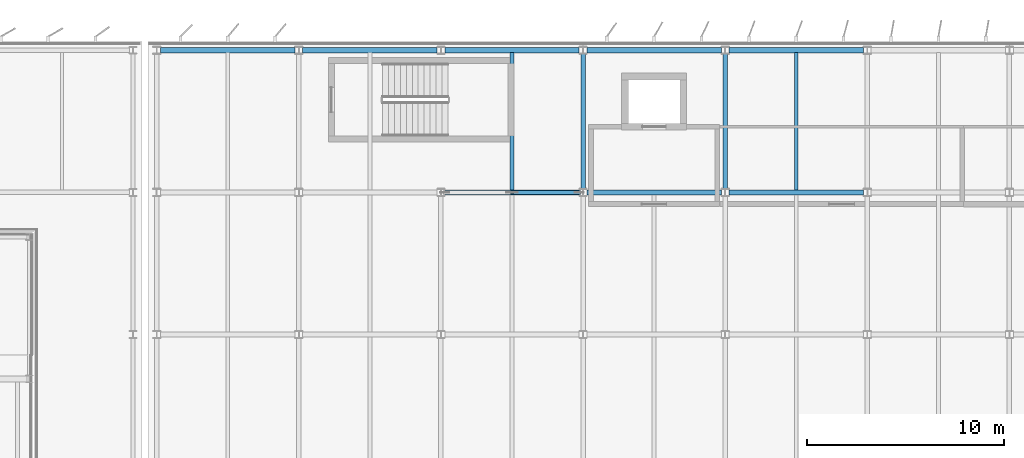
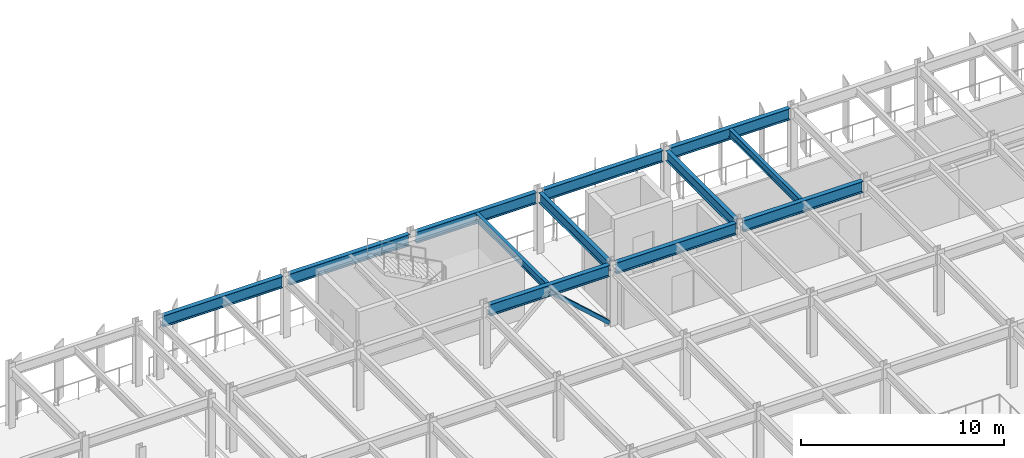
# One storey, part 26 of 93: 12 beams, 1 member.
"""IFC4 building model written with IfcOpenShell, lengths in metres."""

from ifc_helpers import new_model, si_unit, direction, frame, origin, origin_2d, place, context, subcontext, project, spatial, hollow_rectangle, i_section, extrude, material, material_profile, profile_set, type_object, element, save


model = new_model("IFC4")

# Units and contexts
model_context = context("Model", 3, precision=1e-05, world=origin(), true_north=direction((0.0, 1.0)))
body_context = subcontext(model_context, "Body", "Model", "MODEL_VIEW")
ifc_project = project(units=[si_unit("LENGTHUNIT", "METRE"), si_unit("AREAUNIT", "SQUARE_METRE"), si_unit("VOLUMEUNIT", "CUBIC_METRE"), si_unit("PLANEANGLEUNIT", "RADIAN"), si_unit("MASSUNIT", "GRAM", prefix="KILO")], contexts=[model_context])

# Site, building, storey
site_placement = place(None, origin())
site = spatial("IfcSite", under=ifc_project, at=site_placement, CompositionType="ELEMENT")
building_placement = place(site_placement, origin())
building = spatial("IfcBuilding", under=site, at=building_placement, Name="Vaelcorin Mobility Hub", CompositionType="ELEMENT")
storey_placement = place(building_placement, frame((0.0, 0.0, 5.39990234375)))
storey = spatial("IfcBuildingStorey", under=building, at=storey_placement, Name="L01", CompositionType="ELEMENT", Elevation=5.39990234375)

# Beams
ifc_material_1 = material(Name="Steel ASTM A992 Grade 50", Category="steel")
ifc_material_profile_1 = material_profile(ifc_material_1, i_section(OverallWidth=0.19189453125, OverallDepth=0.4619140625, WebThickness=0.010498046875, FlangeThickness=0.017578125, FilletRadius=0.012939453125, at=origin_2d()), Name="W18X60")
ifc_profile_set_1 = profile_set([ifc_material_profile_1], Name="Steel ASTM A992 Grade 50")
beam_type_1 = type_object("IfcBeamType", Name="BM-W18X60", PredefinedType="JOIST", material=ifc_profile_set_1)
for number, where, z_axis, x_axis, name in (
    (1, (54.0, 112.925048828125, 3.439208984375), (0.0, 1.0, 0.0), (-1.0, 0.0, 0.0), "L01 Beam V4-L01-J-03-06-1"),
    (2, (68.39990234375, 112.925048828125, 3.439208984375), (0.0, 1.0, 0.0), (-1.0, 0.0, 0.0), "L01 Beam V4-L01-J-05-06-1"),
):
    element("IfcBeam", number, at=place(storey_placement, frame(where, z_axis=z_axis, x_axis=x_axis)), inside=storey, type_object=beam_type_1, Name=name, PredefinedType="JOIST", context=body_context, shape_type="SweptSolid", body=[
        extrude(i_section(OverallWidth=0.19189453125, OverallDepth=0.4619140625, WebThickness=0.010498046875, FlangeThickness=0.017578125, FilletRadius=0.012939453125, at=origin_2d()), origin(), (0.0, 0.0, 1.0), 6.949951171875),
    ])
ifc_material_profile_2 = material_profile(ifc_material_1, i_section(OverallWidth=0.22900390625, OverallDepth=0.612060546875, WebThickness=0.011962890625, FlangeThickness=0.01953125, FilletRadius=0.014892578125, at=origin_2d()), Name="W24X84")
ifc_profile_set_2 = profile_set([ifc_material_profile_2], Name="Steel ASTM A992 Grade 50")
beam_type_2 = type_object("IfcBeamType", Name="BM-W24X84", PredefinedType="BEAM", material=ifc_profile_set_2)
for number, where, z_axis, x_axis, name in (
    (3, (57.60009765625, 112.9951171875, 3.364013671875), (0.0, 1.0, 0.0), (-1.0, 0.0, 0.0), "L01 Beam V4-L01-GY-04-06"),
    (4, (64.800048828125, 112.9951171875, 3.364013671875), (0.0, 1.0, 0.0), (-1.0, 0.0, 0.0), "L01 Beam V4-L01-GY-05-06"),
):
    element("IfcBeam", number, at=place(storey_placement, frame(where, z_axis=z_axis, x_axis=x_axis)), inside=storey, type_object=beam_type_2, Name=name, PredefinedType="BEAM", context=body_context, shape_type="SweptSolid", body=[
        extrude(i_section(OverallWidth=0.22900390625, OverallDepth=0.612060546875, WebThickness=0.011962890625, FlangeThickness=0.01953125, FilletRadius=0.014892578125, at=origin_2d()), origin(), (0.0, 0.0, 1.0), 6.81689453125),
    ])
ifc_material_profile_3 = material_profile(ifc_material_1, i_section(OverallWidth=0.25390625, OverallDepth=0.68310546875, WebThickness=0.012451171875, FlangeThickness=0.018798828125, FilletRadius=0.01611328125, at=origin_2d()), Name="W27X94")
ifc_profile_set_3 = profile_set([ifc_material_profile_3], Name="Steel ASTM A992 Grade 50")
beam_type_3 = type_object("IfcBeamType", Name="BM-W27X94", PredefinedType="BEAM", material=ifc_profile_set_3)
beam_1_placement = place(storey_placement, frame((50.597900390625, 112.800048828125, 3.328125), z_axis=(1.0, 0.0, 0.0), x_axis=(0.0, 1.0, 0.0)))
element("IfcBeam", 5, at=beam_1_placement, inside=storey, type_object=beam_type_3, Name="L01 Beam V4-L01-GX-06-03", PredefinedType="BEAM", context=body_context, shape_type="SweptSolid", body=[
    extrude(i_section(OverallWidth=0.25390625, OverallDepth=0.68310546875, WebThickness=0.012451171875, FlangeThickness=0.018798828125, FilletRadius=0.01611328125, at=origin_2d()), origin(), (0.0, 0.0, 1.0), 6.80419921875),
])
for number, where, z_axis, x_axis, name in (
    (6, (57.798095703125, 112.800048828125, 3.328125), (1.0, 0.0, 0.0), (0.0, 1.0, 0.0), "L01 Beam V4-L01-GX-06-04"),
    (7, (64.998046875, 112.800048828125, 3.328125), (1.0, 0.0, 0.0), (0.0, 1.0, 0.0), "L01 Beam V4-L01-GX-06-05"),
):
    element("IfcBeam", number, at=place(storey_placement, frame(where, z_axis=z_axis, x_axis=x_axis)), inside=storey, type_object=beam_type_3, Name=name, PredefinedType="BEAM", context=body_context, shape_type="SweptSolid", body=[
        extrude(i_section(OverallWidth=0.25390625, OverallDepth=0.68310546875, WebThickness=0.012451171875, FlangeThickness=0.018798828125, FilletRadius=0.01611328125, at=origin_2d()), origin(), (0.0, 0.0, 1.0), 6.803955078125),
    ])
beam_2_placement = place(storey_placement, frame((36.196044921875, 120.0, 3.328125), z_axis=(1.0, 0.0, 0.0), x_axis=(0.0, 1.0, 0.0)))
element("IfcBeam", 8, at=beam_2_placement, inside=storey, type_object=beam_type_3, Name="L01 Beam V4-L01-GX-07-01", PredefinedType="BEAM", context=body_context, shape_type="SweptSolid", body=[
    extrude(i_section(OverallWidth=0.25390625, OverallDepth=0.68310546875, WebThickness=0.012451171875, FlangeThickness=0.018798828125, FilletRadius=0.01611328125, at=origin_2d()), origin(), (0.0, 0.0, 1.0), 6.807861328125),
])
for number, where, z_axis, x_axis, name in (
    (9, (43.39599609375, 120.0, 3.328125), (1.0, 0.0, 0.0), (0.0, 1.0, 0.0), "L01 Beam V4-L01-GX-07-02"),
    (10, (50.595947265625, 120.0, 3.328125), (1.0, 0.0, 0.0), (0.0, 1.0, 0.0), "L01 Beam V4-L01-GX-07-03"),
    (11, (57.7958984375, 120.0, 3.328125), (1.0, 0.0, 0.0), (0.0, 1.0, 0.0), "L01 Beam V4-L01-GX-07-04"),
):
    element("IfcBeam", number, at=place(storey_placement, frame(where, z_axis=z_axis, x_axis=x_axis)), inside=storey, type_object=beam_type_3, Name=name, PredefinedType="BEAM", context=body_context, shape_type="SweptSolid", body=[
        extrude(i_section(OverallWidth=0.25390625, OverallDepth=0.68310546875, WebThickness=0.012451171875, FlangeThickness=0.018798828125, FilletRadius=0.01611328125, at=origin_2d()), origin(), (0.0, 0.0, 1.0), 6.80810546875),
    ])
beam_3_placement = place(storey_placement, frame((64.99609375, 120.0, 3.328125), z_axis=(1.0, 0.0, 0.0), x_axis=(0.0, 1.0, 0.0)))
element("IfcBeam", 12, at=beam_3_placement, inside=storey, type_object=beam_type_3, Name="L01 Beam V4-L01-GX-07-05", PredefinedType="BEAM", context=body_context, shape_type="SweptSolid", body=[
    extrude(i_section(OverallWidth=0.25390625, OverallDepth=0.68310546875, WebThickness=0.012451171875, FlangeThickness=0.018798828125, FilletRadius=0.01611328125, at=origin_2d()), origin(), (0.0, 0.0, 1.0), 6.807861328125),
])

# Member
ifc_material_2 = material(Name="Steel ASTM A500 Grade C", Category="steel")
ifc_material_profile_4 = material_profile(ifc_material_2, hollow_rectangle(XDim=0.203125, YDim=0.203125, WallThickness=0.01171875, at=origin_2d()), Name="HSS8X8X0.500")
ifc_profile_set_4 = profile_set([ifc_material_profile_4], Name="Steel ASTM A500 Grade C")
member_type = type_object("IfcMemberType", Name="BR-SCBF-8X8", PredefinedType="BRACE", material=ifc_profile_set_4)
member_placement = place(storey_placement, frame((57.409912109375, 112.800048828125, 0.18017578125), z_axis=(-0.743196242044, 0.0, 0.669073498064), x_axis=(0.0, -1.0, 0.0)))
element("IfcMember", 13, at=member_placement, inside=storey, type_object=member_type, Name="SCBF Chevron Brace V4-BX1-L01-B", PredefinedType="BRACE", context=body_context, shape_type="SweptSolid", body=[
    extrude(hollow_rectangle(XDim=0.203125, YDim=0.203125, WallThickness=0.01171875, at=origin_2d()), origin(), (0.0, 0.0, 1.0), 4.588134765625),
])

save(model, "model.ifc")
